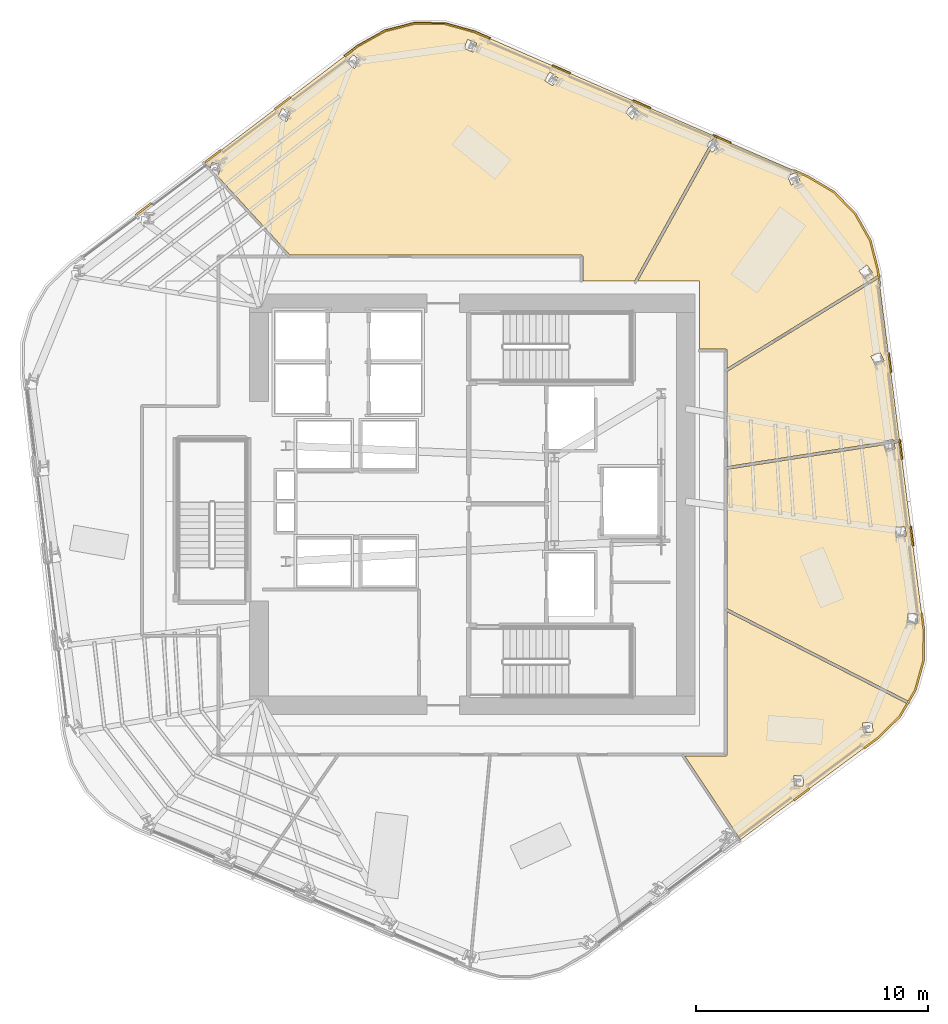
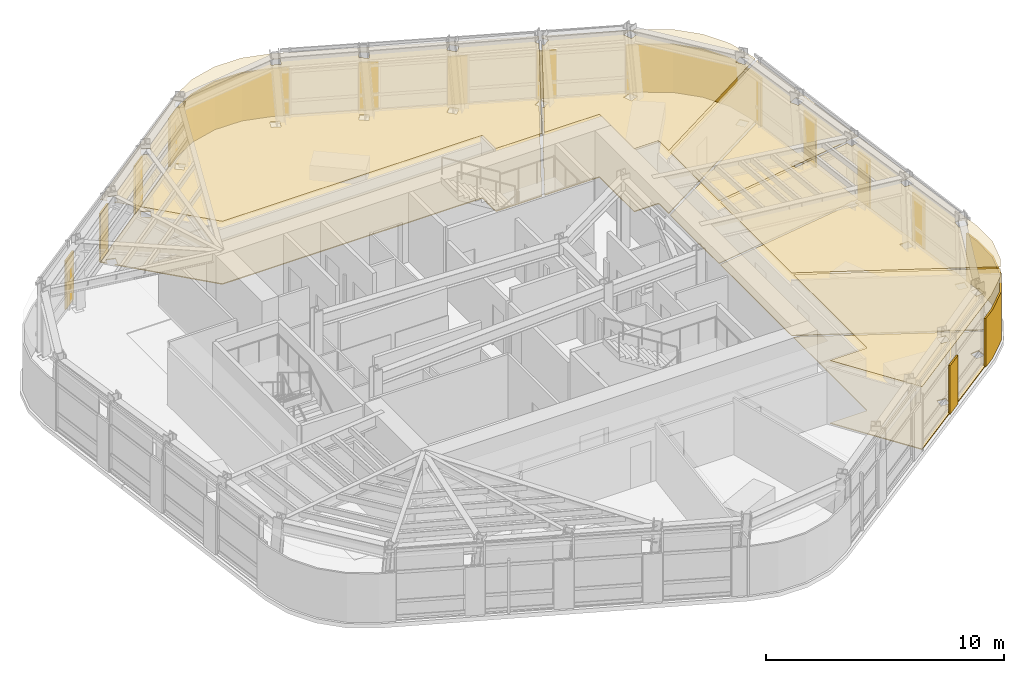
# One storey, part 13 of 14: 23 coverings.
"""IFC4 building model written with IfcOpenShell, lengths in metres."""

from ifc_helpers import new_model, si_unit, direction, frame, origin, place, context, subcontext, project, spatial, polyline, outline, extrude, material, layer, layer_set, type_object, element, save


model = new_model("IFC4")

# Units and contexts
model_context = context("Model", 3, precision=1e-05, world=origin(), true_north=direction((0.0, 1.0)))
body_context = subcontext(model_context, "Body", "Model", "MODEL_VIEW")
ifc_project = project(units=[si_unit("LENGTHUNIT", "METRE"), si_unit("AREAUNIT", "SQUARE_METRE"), si_unit("VOLUMEUNIT", "CUBIC_METRE"), si_unit("PLANEANGLEUNIT", "RADIAN"), si_unit("MASSUNIT", "GRAM", prefix="KILO")], contexts=[model_context])

# Site, building, storey
site_placement = place(None, origin())
site = spatial("IfcSite", under=ifc_project, at=site_placement, CompositionType="ELEMENT")
building_placement = place(site_placement, origin())
building = spatial("IfcBuilding", under=site, at=building_placement, Name="Valkerne Bourse Tower", CompositionType="ELEMENT")
storey_placement = place(building_placement, frame((0.0, 0.0, 181.800048828125)))
storey = spatial("IfcBuildingStorey", under=building, at=storey_placement, Name="L46", CompositionType="ELEMENT", Elevation=181.800048828125)

# Coverings
ifc_material_1 = material(Name="Mineral Fiber Acoustic Ceiling Tile", Category="acoustic")
ifc_layer_1 = layer(ifc_material_1, 0.02490234375)
ifc_layer_set_1 = layer_set([ifc_layer_1], Name="Mineral Fiber Acoustic Ceiling Tile")
covering_type_1 = type_object("IfcCoveringType", Name="COV-CEIL-ACT", PredefinedType="CEILING", material=ifc_layer_set_1)
covering_1_placement = place(storey_placement, frame((0.0, 0.0, 3.22998046875)))
element("IfcCovering", 1, at=covering_1_placement, inside=storey, type_object=covering_type_1, Name="L46 Suspended Ceiling 05", PredefinedType="CEILING", context=body_context, shape_type="SweptSolid", body=[
    extrude(outline(polyline([(57.7890625, 32.593994140625), (64.334716796875, 36.628173828125), (65.22314453125, 29.6630859375), (64.949462890625, 29.6201171875), (64.935302734375, 29.675048828125), (64.523681640625, 29.57080078125), (64.524169921875, 29.568115234375), (64.527587890625, 29.55419921875), (57.7890625, 28.498779296875), (57.7890625, 32.593994140625)]), holes=[polyline([(64.559326171875, 33.064453125), (64.558349609375, 33.067138671875), (64.377197265625, 33.4384765625), (63.99560546875, 33.25244140625), (63.996337890625, 33.25), (64.177490234375, 32.878662109375), (64.559326171875, 33.064453125)])]), origin(), (0.0, 0.0, 1.0), 0.02490234375),
])
covering_2_placement = place(storey_placement, frame((0.0, 0.0, 3.22998046875)))
element("IfcCovering", 2, at=covering_2_placement, inside=storey, type_object=covering_type_1, Name="L46 Suspended Ceiling 06", PredefinedType="CEILING", context=body_context, shape_type="SweptSolid", body=[
    extrude(outline(polyline([(58.3671875, 12.406005859375), (58.135498046875, 12.754638671875), (58.144775390625, 12.787353515625), (58.1064453125, 12.798095703125), (55.971923828125, 16.010986328125), (57.723388671875, 16.010986328125), (57.76171875, 16.02490234375), (57.786865234375, 16.0625), (57.7890625, 22.2412109375), (65.5595703125, 18.273193359375), (65.230224609375, 17.716552734375), (64.281005859375, 16.786865234375), (58.3671875, 12.406005859375)]), holes=[polyline([(61.06494140625, 14.71826171875), (61.093994140625, 15.14111328125), (60.68115234375, 15.170654296875), (60.67919921875, 15.16845703125), (60.650390625, 14.74560546875), (61.063232421875, 14.71630859375), (61.06494140625, 14.71826171875)]), polyline([(64.0888671875, 17.06298828125), (64.037841796875, 17.483642578125), (63.626708984375, 17.43505859375), (63.625244140625, 17.4326171875), (63.67626953125, 17.01220703125), (64.08740234375, 17.060546875), (64.0888671875, 17.06298828125)])]), origin(), (0.0, 0.0, 1.0), 0.02490234375),
])
covering_3_placement = place(storey_placement, frame((0.0, 0.0, 3.22998046875)))
element("IfcCovering", 3, at=covering_3_placement, inside=storey, type_object=covering_type_1, Name="L46 Suspended Ceiling 08", PredefinedType="CEILING", context=body_context, shape_type="SweptSolid", body=[
    extrude(outline(polyline([(63.313720703125, 39.39892578125), (63.96142578125, 38.249267578125), (64.292236328125, 36.96142578125), (64.318359375, 36.756591796875), (57.7890625, 32.732421875), (57.788818359375, 33.50341796875), (57.779541015625, 33.53515625), (57.755859375, 33.55908203125), (57.720703125, 33.569091796875), (56.60009765625, 33.569091796875), (56.60009765625, 36.5), (53.9345703125, 36.5), (57.06494140625, 42.14599609375), (57.119384765625, 42.06005859375), (57.121826171875, 42.05859375), (57.470703125, 42.281494140625), (57.294189453125, 42.559326171875), (57.372314453125, 42.700439453125), (61.24609375, 41.0185546875), (62.390380859375, 40.341796875), (63.313720703125, 39.39892578125)]), holes=[polyline([(64.068603515625, 36.8564453125), (64.0673828125, 36.85888671875), (63.819580078125, 37.189453125), (63.4794921875, 36.93505859375), (63.48095703125, 36.9326171875), (63.728759765625, 36.60205078125), (64.068603515625, 36.8564453125)]), polyline([(60.78515625, 41.189453125), (60.783203125, 41.19140625), (60.3984375, 41.037841796875), (60.55419921875, 40.644287109375), (60.556396484375, 40.64208984375), (60.941162109375, 40.795654296875), (60.78515625, 41.189453125)])]), origin(), (0.0, 0.0, 1.0), 0.02490234375),
])
covering_4_placement = place(storey_placement, frame((0.0, 0.0, 3.22998046875)))
element("IfcCovering", 4, at=covering_4_placement, inside=storey, type_object=covering_type_1, Name="L46 Suspended Ceiling 10", PredefinedType="CEILING", context=body_context, shape_type="SweptSolid", body=[
    extrude(outline(polyline([(65.61962890625, 18.375), (57.7890625, 22.373779296875), (57.7890625, 28.37939453125), (64.556884765625, 29.439208984375), (64.6259765625, 29.16748046875), (65.03759765625, 29.27197265625), (65.037109375, 29.2744140625), (64.978515625, 29.50537109375), (65.23828125, 29.5458984375), (66.270751953125, 21.451904296875), (66.2568359375, 20.123291015625), (65.90185546875, 18.852294921875), (65.61962890625, 18.375)]), holes=[polyline([(66.02734375, 22.121826171875), (65.607421875, 22.183349609375), (65.6064453125, 22.1806640625), (65.546875, 21.77197265625), (65.967041015625, 21.71044921875), (65.9677734375, 21.713134765625), (66.02734375, 22.121826171875)]), polyline([(65.505126953125, 25.485595703125), (65.50537109375, 25.48828125), (65.487060546875, 25.90087890625), (65.06298828125, 25.882568359375), (65.062744140625, 25.8798828125), (65.080810546875, 25.46728515625), (65.505126953125, 25.485595703125)])]), origin(), (0.0, 0.0, 1.0), 0.02490234375),
])
covering_5_placement = place(storey_placement, frame((0.0, 0.0, 3.22998046875)))
element("IfcCovering", 5, at=covering_5_placement, inside=storey, type_object=covering_type_1, Name="L46 Suspended Ceiling 11", PredefinedType="CEILING", context=body_context, shape_type="SweptSolid", body=[
    extrude(outline(polyline([(44.30517578125, 47.61669921875), (45.62451171875, 47.602783203125), (46.904296875, 47.24560546875), (57.263671875, 42.74755859375), (57.183837890625, 42.603759765625), (56.892333984375, 42.41748046875), (56.992919921875, 42.25927734375), (53.7998046875, 36.5), (51.569091796875, 36.5), (51.56884765625, 37.564697265625), (51.547119140625, 37.61083984375), (51.50439453125, 37.62890625), (38.9296875, 37.62890625), (35.707763671875, 41.14111328125), (35.853515625, 41.099853515625), (35.855712890625, 41.101318359375), (35.97021484375, 41.509521484375), (35.572021484375, 41.622314453125), (35.56982421875, 41.620849609375), (35.4990234375, 41.36865234375), (35.272216796875, 41.615966796875), (41.869384765625, 46.63623046875), (43.027099609375, 47.288330078125), (44.30517578125, 47.61669921875)]), holes=[polyline([(38.784912109375, 43.382080078125), (38.97998046875, 43.75830078125), (38.61279296875, 43.949951171875), (38.610595703125, 43.94873046875), (38.415283203125, 43.572509765625), (38.782470703125, 43.381103515625), (38.784912109375, 43.382080078125)]), polyline([(53.990478515625, 43.774658203125), (53.6953125, 44.078369140625), (53.69287109375, 44.079345703125), (53.396484375, 43.7900390625), (53.691650390625, 43.486328125), (53.694091796875, 43.4853515625), (53.990478515625, 43.774658203125)]), polyline([(50.146728515625, 45.50537109375), (50.144287109375, 45.505859375), (49.912841796875, 45.162109375), (50.263671875, 44.9248046875), (50.266357421875, 44.92431640625), (50.497802734375, 45.26806640625), (50.146728515625, 45.50537109375)]), polyline([(41.97705078125, 46.008056640625), (41.65283203125, 46.265380859375), (41.650146484375, 46.2646484375), (41.387939453125, 45.931884765625), (41.712158203125, 45.674560546875), (41.71484375, 45.67529296875), (41.97705078125, 46.008056640625)]), polyline([(46.605224609375, 46.922119140625), (46.6025390625, 46.922119140625), (46.439697265625, 46.541015625), (46.828857421875, 46.373779296875), (46.831787109375, 46.373779296875), (46.994384765625, 46.7548828125), (46.605224609375, 46.922119140625)])]), origin(), (0.0, 0.0, 1.0), 0.02490234375),
])
ifc_material_2 = material(Name="Bronze Anodised Aluminium AA 6063-T6", Category="aluminium")
ifc_layer_2 = layer(ifc_material_2, 0.06005859375)
ifc_layer_set_2 = layer_set([ifc_layer_2], Name="Bronze Anodised Aluminium AA 6063-T6")
covering_type_2 = type_object("IfcCoveringType", Name="COV-CRN-ALUM", PredefinedType="CLADDING", material=ifc_layer_set_2)
covering_6_placement = place(storey_placement, origin())
element("IfcCovering", 6, at=covering_6_placement, inside=storey, type_object=covering_type_2, Name="L46 Wind-Shaped Corner Aluminium Cladding 01", PredefinedType="CLADDING", context=body_context, shape_type="SweptSolid", body=[
    extrude(outline(polyline([(66.30078125, 20.116943359375), (65.942626953125, 18.8349609375), (65.26513671875, 17.689208984375), (64.3095703125, 16.75341796875), (63.724609375, 16.320068359375), (63.6767578125, 16.384033203125), (64.257568359375, 16.814453125), (65.20166015625, 17.739013671875), (65.868408203125, 18.866455078125), (66.220947265625, 20.12841796875), (66.234619140625, 21.44970703125), (66.143310546875, 22.166748046875), (66.22265625, 22.176513671875), (66.314697265625, 21.454345703125), (66.30078125, 20.116943359375)])), origin(), (0.0, 0.0, 1.0), 2.5),
])
covering_7_placement = place(storey_placement, origin())
element("IfcCovering", 7, at=covering_7_placement, inside=storey, type_object=covering_type_2, Name="L46 Wind-Shaped Corner Aluminium Cladding 02", PredefinedType="CLADDING", context=body_context, shape_type="SweptSolid", body=[
    extrude(outline(polyline([(60.694580078125, 14.075439453125), (60.646484375, 14.139404296875), (61.321533203125, 14.639404296875), (61.369384765625, 14.575439453125), (60.694580078125, 14.075439453125)])), origin(), (0.0, 0.0, 1.0), 2.5),
])
covering_8_placement = place(storey_placement, origin())
element("IfcCovering", 8, at=covering_8_placement, inside=storey, type_object=covering_type_2, Name="L46 Wind-Shaped Corner Aluminium Cladding 14", PredefinedType="CLADDING", context=body_context, shape_type="SweptSolid", body=[
    extrude(outline(polyline([(32.931396484375, 39.889892578125), (32.9794921875, 39.825927734375), (32.31103515625, 39.3173828125), (32.262939453125, 39.38134765625), (32.931396484375, 39.889892578125)])), origin(), (0.0, 0.0, 1.0), 2.5),
])
covering_9_placement = place(storey_placement, origin())
element("IfcCovering", 9, at=covering_9_placement, inside=storey, type_object=covering_type_2, Name="L46 Wind-Shaped Corner Aluminium Cladding 15", PredefinedType="CLADDING", context=body_context, shape_type="SweptSolid", body=[
    extrude(outline(polyline([(35.9326171875, 42.173583984375), (35.98046875, 42.109619140625), (35.31201171875, 41.60107421875), (35.263916015625, 41.6650390625), (35.9326171875, 42.173583984375)])), origin(), (0.0, 0.0, 1.0), 2.5),
])
covering_10_placement = place(storey_placement, origin())
element("IfcCovering", 10, at=covering_10_placement, inside=storey, type_object=covering_type_2, Name="L46 Wind-Shaped Corner Aluminium Cladding 16", PredefinedType="CLADDING", context=body_context, shape_type="SweptSolid", body=[
    extrude(outline(polyline([(38.93359375, 44.457275390625), (38.9814453125, 44.393310546875), (38.31298828125, 43.884521484375), (38.264892578125, 43.948486328125), (38.93359375, 44.457275390625)])), origin(), (0.0, 0.0, 1.0), 2.5),
])
covering_11_placement = place(storey_placement, origin())
element("IfcCovering", 11, at=covering_11_placement, inside=storey, type_object=covering_type_2, Name="L46 Wind-Shaped Corner Aluminium Cladding 17", PredefinedType="CLADDING", context=body_context, shape_type="SweptSolid", body=[
    extrude(outline(polyline([(41.84521484375, 46.673095703125), (43.010498046875, 47.32958984375), (44.2998046875, 47.66064453125), (45.630859375, 47.646728515625), (46.9189453125, 47.287109375), (47.586669921875, 46.9970703125), (47.555419921875, 46.923583984375), (46.89208984375, 47.21142578125), (45.619384765625, 47.56689453125), (44.3095703125, 47.58056640625), (43.04052734375, 47.254638671875), (41.889404296875, 46.606201171875), (41.314208984375, 46.168212890625), (41.26611328125, 46.232421875), (41.84521484375, 46.673095703125)])), origin(), (0.0, 0.0, 1.0), 2.5),
])
covering_12_placement = place(storey_placement, origin())
element("IfcCovering", 12, at=covering_12_placement, inside=storey, type_object=covering_type_2, Name="L46 Wind-Shaped Corner Aluminium Cladding 18", PredefinedType="CLADDING", context=body_context, shape_type="SweptSolid", body=[
    extrude(outline(polyline([(51.0458984375, 45.495361328125), (51.014404296875, 45.421630859375), (50.243896484375, 45.756103515625), (50.275390625, 45.829833984375), (51.0458984375, 45.495361328125)])), origin(), (0.0, 0.0, 1.0), 2.5),
])
covering_13_placement = place(storey_placement, origin())
element("IfcCovering", 13, at=covering_13_placement, inside=storey, type_object=covering_type_2, Name="L46 Wind-Shaped Corner Aluminium Cladding 19", PredefinedType="CLADDING", context=body_context, shape_type="SweptSolid", body=[
    extrude(outline(polyline([(54.5048828125, 43.993408203125), (54.473388671875, 43.919921875), (53.703125, 44.25439453125), (53.734619140625, 44.327880859375), (54.5048828125, 43.993408203125)])), origin(), (0.0, 0.0, 1.0), 2.5),
])
covering_14_placement = place(storey_placement, origin())
element("IfcCovering", 14, at=covering_14_placement, inside=storey, type_object=covering_type_2, Name="L46 Wind-Shaped Corner Aluminium Cladding 20", PredefinedType="CLADDING", context=body_context, shape_type="SweptSolid", body=[
    extrude(outline(polyline([(57.964111328125, 42.491455078125), (57.9326171875, 42.41796875), (57.162109375, 42.75244140625), (57.193603515625, 42.825927734375), (57.964111328125, 42.491455078125)])), origin(), (0.0, 0.0, 1.0), 2.5),
])
covering_15_placement = place(storey_placement, origin())
element("IfcCovering", 15, at=covering_15_placement, inside=storey, type_object=covering_type_2, Name="L46 Wind-Shaped Corner Aluminium Cladding 21", PredefinedType="CLADDING", context=body_context, shape_type="SweptSolid", body=[
    extrude(outline(polyline([(61.26611328125, 41.057861328125), (62.41796875, 40.376708984375), (63.34912109375, 39.425537109375), (64.002685546875, 38.265869140625), (64.33544921875, 36.9697265625), (64.420166015625, 36.30615234375), (64.3408203125, 36.296630859375), (64.2568359375, 36.95458984375), (63.927734375, 38.235595703125), (63.28466796875, 39.377197265625), (62.3681640625, 40.31298828125), (61.229736328125, 40.986328125), (60.621337890625, 41.25048828125), (60.652587890625, 41.32421875), (61.26611328125, 41.057861328125)])), origin(), (0.0, 0.0, 1.0), 2.5),
])
covering_16_placement = place(storey_placement, origin())
element("IfcCovering", 16, at=covering_16_placement, inside=storey, type_object=covering_type_2, Name="L46 Wind-Shaped Corner Aluminium Cladding 22", PredefinedType="CLADDING", context=body_context, shape_type="SweptSolid", body=[
    extrude(outline(polyline([(64.897216796875, 32.5654296875), (64.81787109375, 32.555908203125), (64.711669921875, 33.38916015625), (64.791015625, 33.398681640625), (64.897216796875, 32.5654296875)])), origin(), (0.0, 0.0, 1.0), 2.5),
])
covering_17_placement = place(storey_placement, origin())
element("IfcCovering", 17, at=covering_17_placement, inside=storey, type_object=covering_type_2, Name="L46 Wind-Shaped Corner Aluminium Cladding 23", PredefinedType="CLADDING", context=body_context, shape_type="SweptSolid", body=[
    extrude(outline(polyline([(65.37451171875, 28.82470703125), (65.295166015625, 28.815185546875), (65.188720703125, 29.6484375), (65.268310546875, 29.657958984375), (65.37451171875, 28.82470703125)])), origin(), (0.0, 0.0, 1.0), 2.5),
])
covering_18_placement = place(storey_placement, origin())
element("IfcCovering", 18, at=covering_18_placement, inside=storey, type_object=covering_type_2, Name="L46 Wind-Shaped Corner Aluminium Cladding 24", PredefinedType="CLADDING", context=body_context, shape_type="SweptSolid", body=[
    extrude(outline(polyline([(65.851806640625, 25.083984375), (65.772216796875, 25.07421875), (65.666015625, 25.90771484375), (65.745361328125, 25.917236328125), (65.851806640625, 25.083984375)])), origin(), (0.0, 0.0, 1.0), 2.5),
])
ifc_material_3 = material(Name="Galvanised Painted Steel", Category="steel")
ifc_layer_3 = layer(ifc_material_3, 0.044921875)
ifc_layer_set_3 = layer_set([ifc_layer_3], Name="Galvanised Painted Steel")
covering_type_3 = type_object("IfcCoveringType", Name="COV-FLR-RAF", PredefinedType="FLOORING", material=ifc_layer_set_3)
covering_19_placement = place(storey_placement, origin())
element("IfcCovering", 19, at=covering_19_placement, inside=storey, type_object=covering_type_3, Name="L46 Floor Finish 06", PredefinedType="FLOORING", context=body_context, shape_type="SweptSolid", body=[
    extrude(outline(polyline([(58.3671875, 12.406005859375), (58.135498046875, 12.754638671875), (58.144775390625, 12.787353515625), (58.1064453125, 12.798095703125), (55.971923828125, 16.010986328125), (57.723388671875, 16.010986328125), (57.76171875, 16.02490234375), (57.786865234375, 16.0625), (57.7890625, 22.2412109375), (65.5595703125, 18.273193359375), (65.230224609375, 17.716552734375), (64.281005859375, 16.786865234375), (58.3671875, 12.406005859375)]), holes=[polyline([(61.06494140625, 14.71826171875), (61.093994140625, 15.14111328125), (60.68115234375, 15.170654296875), (60.67919921875, 15.16845703125), (60.650390625, 14.74560546875), (61.063232421875, 14.71630859375), (61.06494140625, 14.71826171875)]), polyline([(64.0888671875, 17.06298828125), (64.037841796875, 17.483642578125), (63.626708984375, 17.43505859375), (63.625244140625, 17.4326171875), (63.67626953125, 17.01220703125), (64.08740234375, 17.060546875), (64.0888671875, 17.06298828125)])]), origin(), (0.0, 0.0, 1.0), 0.044921875),
])
covering_20_placement = place(storey_placement, origin())
element("IfcCovering", 20, at=covering_20_placement, inside=storey, type_object=covering_type_3, Name="L46 Floor Finish 08", PredefinedType="FLOORING", context=body_context, shape_type="SweptSolid", body=[
    extrude(outline(polyline([(63.313720703125, 39.39892578125), (63.96142578125, 38.249267578125), (64.292236328125, 36.96142578125), (64.318359375, 36.756591796875), (57.7890625, 32.732421875), (57.788818359375, 33.50341796875), (57.779541015625, 33.53515625), (57.755859375, 33.55908203125), (57.720703125, 33.569091796875), (56.60009765625, 33.569091796875), (56.60009765625, 36.5), (53.9345703125, 36.5), (57.06494140625, 42.14599609375), (57.119384765625, 42.06005859375), (57.121826171875, 42.05859375), (57.470703125, 42.281494140625), (57.294189453125, 42.559326171875), (57.372314453125, 42.700439453125), (61.24609375, 41.0185546875), (62.390380859375, 40.341796875), (63.313720703125, 39.39892578125)]), holes=[polyline([(64.068603515625, 36.8564453125), (64.0673828125, 36.85888671875), (63.819580078125, 37.189453125), (63.4794921875, 36.93505859375), (63.48095703125, 36.9326171875), (63.728759765625, 36.60205078125), (64.068603515625, 36.8564453125)]), polyline([(60.78515625, 41.189453125), (60.783203125, 41.19140625), (60.3984375, 41.037841796875), (60.55419921875, 40.644287109375), (60.556396484375, 40.64208984375), (60.941162109375, 40.795654296875), (60.78515625, 41.189453125)])]), origin(), (0.0, 0.0, 1.0), 0.044921875),
])
covering_21_placement = place(storey_placement, origin())
element("IfcCovering", 21, at=covering_21_placement, inside=storey, type_object=covering_type_3, Name="L46 Floor Finish 10", PredefinedType="FLOORING", context=body_context, shape_type="SweptSolid", body=[
    extrude(outline(polyline([(65.61962890625, 18.375), (57.7890625, 22.373779296875), (57.7890625, 28.37939453125), (64.556884765625, 29.439208984375), (64.6259765625, 29.16748046875), (65.03759765625, 29.27197265625), (65.037109375, 29.2744140625), (64.978515625, 29.50537109375), (65.23828125, 29.5458984375), (66.270751953125, 21.451904296875), (66.2568359375, 20.123291015625), (65.90185546875, 18.852294921875), (65.61962890625, 18.375)]), holes=[polyline([(66.02734375, 22.121826171875), (65.607421875, 22.183349609375), (65.6064453125, 22.1806640625), (65.546875, 21.77197265625), (65.967041015625, 21.71044921875), (65.9677734375, 21.713134765625), (66.02734375, 22.121826171875)]), polyline([(65.505126953125, 25.485595703125), (65.50537109375, 25.48828125), (65.487060546875, 25.90087890625), (65.06298828125, 25.882568359375), (65.062744140625, 25.8798828125), (65.080810546875, 25.46728515625), (65.505126953125, 25.485595703125)])]), origin(), (0.0, 0.0, 1.0), 0.044921875),
])
covering_22_placement = place(storey_placement, origin())
element("IfcCovering", 22, at=covering_22_placement, inside=storey, type_object=covering_type_3, Name="L46 Floor Finish 11", PredefinedType="FLOORING", context=body_context, shape_type="SweptSolid", body=[
    extrude(outline(polyline([(44.30517578125, 47.61669921875), (45.62451171875, 47.602783203125), (46.904296875, 47.24560546875), (57.263671875, 42.74755859375), (57.183837890625, 42.603759765625), (56.892333984375, 42.41748046875), (56.992919921875, 42.25927734375), (53.7998046875, 36.5), (51.569091796875, 36.5), (51.56884765625, 37.564697265625), (51.547119140625, 37.61083984375), (51.50439453125, 37.62890625), (38.9296875, 37.62890625), (35.707763671875, 41.14111328125), (35.853515625, 41.099853515625), (35.855712890625, 41.101318359375), (35.97021484375, 41.509521484375), (35.572021484375, 41.622314453125), (35.56982421875, 41.620849609375), (35.4990234375, 41.36865234375), (35.272216796875, 41.615966796875), (41.869384765625, 46.63623046875), (43.027099609375, 47.288330078125), (44.30517578125, 47.61669921875)]), holes=[polyline([(38.784912109375, 43.382080078125), (38.97998046875, 43.75830078125), (38.61279296875, 43.949951171875), (38.610595703125, 43.94873046875), (38.415283203125, 43.572509765625), (38.782470703125, 43.381103515625), (38.784912109375, 43.382080078125)]), polyline([(53.990478515625, 43.774658203125), (53.6953125, 44.078369140625), (53.69287109375, 44.079345703125), (53.396484375, 43.7900390625), (53.691650390625, 43.486328125), (53.694091796875, 43.4853515625), (53.990478515625, 43.774658203125)]), polyline([(50.146728515625, 45.50537109375), (50.144287109375, 45.505859375), (49.912841796875, 45.162109375), (50.263671875, 44.9248046875), (50.266357421875, 44.92431640625), (50.497802734375, 45.26806640625), (50.146728515625, 45.50537109375)]), polyline([(41.97705078125, 46.008056640625), (41.65283203125, 46.265380859375), (41.650146484375, 46.2646484375), (41.387939453125, 45.931884765625), (41.712158203125, 45.674560546875), (41.71484375, 45.67529296875), (41.97705078125, 46.008056640625)]), polyline([(46.605224609375, 46.922119140625), (46.6025390625, 46.922119140625), (46.439697265625, 46.541015625), (46.828857421875, 46.373779296875), (46.831787109375, 46.373779296875), (46.994384765625, 46.7548828125), (46.605224609375, 46.922119140625)])]), origin(), (0.0, 0.0, 1.0), 0.044921875),
])
ifc_material_4 = material(Name="Polished Granite Stone", Category="masonry")
ifc_layer_4 = layer(ifc_material_4, 0.030029296875)
ifc_layer_set_4 = layer_set([ifc_layer_4], Name="Polished Granite Stone")
covering_type_4 = type_object("IfcCoveringType", Name="COV-FLR-TERRAZZO", PredefinedType="FLOORING", material=ifc_layer_set_4)
covering_23_placement = place(storey_placement, origin())
element("IfcCovering", 23, at=covering_23_placement, inside=storey, type_object=covering_type_4, Name="L46 Floor Finish 05", PredefinedType="FLOORING", context=body_context, shape_type="SweptSolid", body=[
    extrude(outline(polyline([(57.7890625, 32.593994140625), (64.334716796875, 36.628173828125), (65.22314453125, 29.6630859375), (64.949462890625, 29.6201171875), (64.935302734375, 29.675048828125), (64.523681640625, 29.57080078125), (64.524169921875, 29.568115234375), (64.527587890625, 29.55419921875), (57.7890625, 28.498779296875), (57.7890625, 32.593994140625)]), holes=[polyline([(64.559326171875, 33.064453125), (64.558349609375, 33.067138671875), (64.377197265625, 33.4384765625), (63.99560546875, 33.25244140625), (63.996337890625, 33.25), (64.177490234375, 32.878662109375), (64.559326171875, 33.064453125)])]), origin(), (0.0, 0.0, 1.0), 0.030029296875),
])

save(model, "model.ifc")
